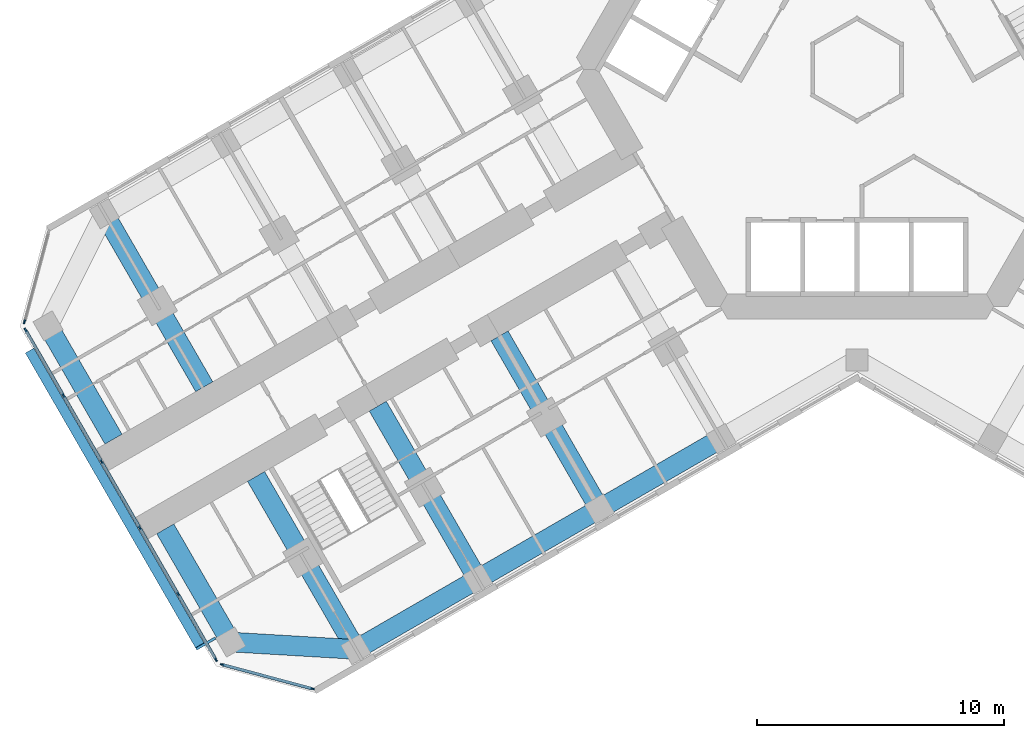
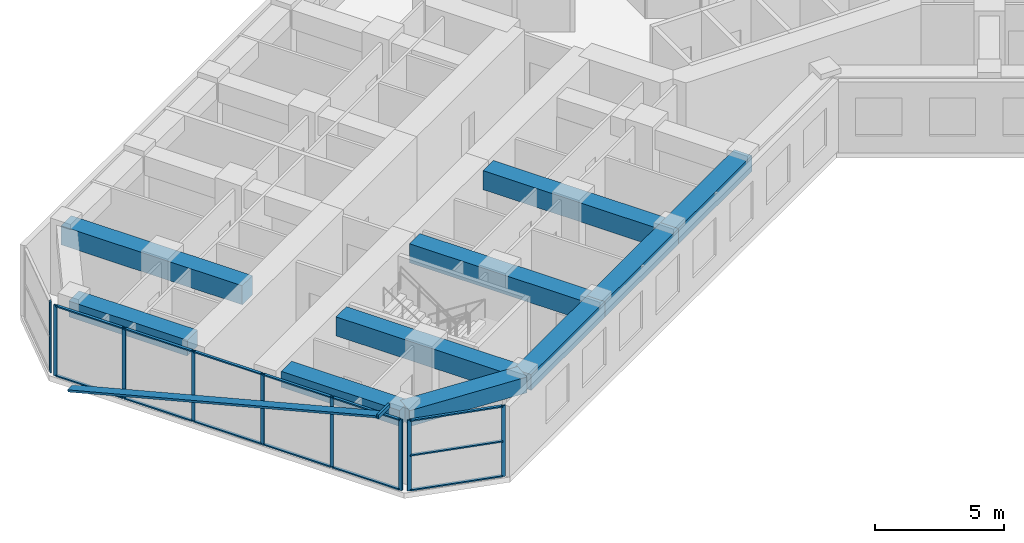
# One storey, part 2 of 22: 24 members, 10 beams, 3 elements without a shape of their own.
"""IFC4 building model written with IfcOpenShell, lengths in metres."""

from ifc_helpers import new_model, si_unit, direction, frame, origin, origin_2d, place, context, subcontext, project, spatial, rectangle, hollow_rectangle, extrude, material, material_profile, profile_set, type_object, element, aggregate, save


model = new_model("IFC4")

# Units and contexts
model_context = context("Model", 3, precision=1e-05, world=origin(), true_north=direction((0.0, 1.0)))
body_context = subcontext(model_context, "Body", "Model", "MODEL_VIEW")
ifc_project = project(units=[si_unit("LENGTHUNIT", "METRE"), si_unit("AREAUNIT", "SQUARE_METRE"), si_unit("VOLUMEUNIT", "CUBIC_METRE"), si_unit("PLANEANGLEUNIT", "RADIAN"), si_unit("MASSUNIT", "GRAM", prefix="KILO")], contexts=[model_context])

# Site, building, storey
site_placement = place(None, origin())
site = spatial("IfcSite", under=ifc_project, at=site_placement, CompositionType="ELEMENT")
building_placement = place(site_placement, origin())
building = spatial("IfcBuilding", under=site, at=building_placement, Name="Kosmar Iwan School Tower", CompositionType="ELEMENT")
storey_placement = place(building_placement, frame((0.0, 0.0, 91.60009765625)))
storey = spatial("IfcBuildingStorey", under=building, at=storey_placement, Name="L22", CompositionType="ELEMENT", Elevation=91.60009765625)

# Members
ifc_material_1 = material(Name="Black anodised aluminium", Category="aluminium")
ifc_material_profile_1 = material_profile(ifc_material_1, rectangle(XDim=0.10009765625, YDim=0.39990234375, at=origin_2d()), Name="FIN 100x400")
ifc_profile_set_1 = profile_set([ifc_material_profile_1], Name="Black anodised aluminium")
member_type_1 = type_object("IfcMemberType", Name="Diagonal fin 100x400", PredefinedType="USERDEFINED", material=ifc_profile_set_1)
member_1_placement = place(storey_placement, frame((-33.54345703125, -11.40087890625, -0.150146484375), z_axis=(0.483793446988, -0.837970316603, 0.25248692866), x_axis=(-0.126241714543, 0.218661104574, 0.96760030532)))
element("IfcMember", 1, at=member_1_placement, inside=storey, type_object=member_type_1, Name="Diagonal fin L22-F13", ObjectType="FIN", PredefinedType="USERDEFINED", context=body_context, shape_type="SweptSolid", body=[
    extrude(rectangle(XDim=0.10009765625, YDim=0.39990234375, at=origin_2d()), origin(), (0.0, 0.0, 1.0), 14.258544921875),
])
ifc_material_2 = material(Name="Steel S355", Category="steel")
ifc_material_profile_2 = material_profile(ifc_material_2, hollow_rectangle(XDim=0.10009765625, YDim=0.199951171875, WallThickness=0.008056640625, at=origin_2d()), Name="RHS 200x100x8")
ifc_profile_set_2 = profile_set([ifc_material_profile_2], Name="Steel S355")
member_type_2 = type_object("IfcMemberType", Name="Fin bracket RHS 200x100", PredefinedType="USERDEFINED", material=ifc_profile_set_2)
member_2_placement = place(storey_placement, frame((-26.01318359375, -23.0439453125, 3.474853515625), z_axis=(-0.866013897511, -0.50001992892, 0.0), x_axis=(0.50001992892, -0.866013897511, 0.0)))
element("IfcMember", 2, at=member_2_placement, inside=storey, type_object=member_type_2, Name="Fin bracket L23", ObjectType="FIN BRACKET", PredefinedType="USERDEFINED", context=body_context, shape_type="SweptSolid", body=[
    extrude(hollow_rectangle(XDim=0.10009765625, YDim=0.199951171875, WallThickness=0.008056640625, at=origin_2d()), origin(), (0.0, 0.0, 1.0), 0.89990234375),
])

# Curtain wall, member
ifc_material_3 = material(Name="Dark glass in black aluminium frame", Category="aluminium")
curtain_wall_type_1 = type_object("IfcCurtainWallType", Name="Chamfer curtain wall dark glass", PredefinedType="USERDEFINED", material=ifc_material_3)
curtain_wall_1_placement = place(storey_placement, origin())
curtain_wall_1 = element("IfcCurtainWall", 3, at=curtain_wall_1_placement, inside=storey, type_object=curtain_wall_type_1, Name="Curtain wall L22-F12", ObjectType="FACETED CURTAIN WALL", PredefinedType="USERDEFINED")
ifc_material_4 = material(Name="Black anodised aluminium", Category="aluminium")
ifc_material_profile_3 = material_profile(ifc_material_4, rectangle(XDim=0.06005859375, YDim=0.159912109375, at=origin_2d()), Name="MULLION 60x160")
ifc_profile_set_3 = profile_set([ifc_material_profile_3], Name="Black anodised aluminium")
member_type_3 = type_object("IfcMemberType", Name="Mullion 60x160", PredefinedType="MULLION", material=ifc_profile_set_3)
member_3_placement = place(storey_placement, frame((-33.7587890625, -10.2236328125, 0.0), z_axis=(0.0, 0.0, 1.0), x_axis=(0.965925875495, -0.258818861462, 0.0)))
member_3 = element("IfcMember", 4, at=member_3_placement, type_object=member_type_3, Name="CW2 mullion 2", PredefinedType="MULLION", context=body_context, shape_type="SweptSolid", body=[
    extrude(rectangle(XDim=0.06005859375, YDim=0.159912109375, at=origin_2d()), origin(), (0.0, 0.0, 1.0), 3.349853515625),
])
aggregate(curtain_wall_1, [member_3])

# Curtain wall, members
ifc_material_5 = material(Name="Dark glass in black aluminium frame", Category="aluminium")
curtain_wall_type_2 = type_object("IfcCurtainWallType", Name="Tower curtain wall dark glass", PredefinedType="USERDEFINED", material=ifc_material_5)
curtain_wall_2_placement = place(storey_placement, origin())
curtain_wall_2 = element("IfcCurtainWall", 5, at=curtain_wall_2_placement, inside=storey, type_object=curtain_wall_type_2, Name="Curtain wall L22-F13", ObjectType="UNITISED CURTAIN WALL", PredefinedType="USERDEFINED")
member_4_placement = place(storey_placement, frame((-33.71533203125, -10.55322265625, 0.0), z_axis=(0.0, 0.0, 1.0), x_axis=(0.866025405329, 0.499999997325, 0.0)))
member_4 = element("IfcMember", 6, at=member_4_placement, type_object=member_type_3, Name="CW1 mullion 1", PredefinedType="MULLION", context=body_context, shape_type="SweptSolid", body=[
    extrude(rectangle(XDim=0.06005859375, YDim=0.159912109375, at=origin_2d()), origin(), (0.0, 0.0, 1.0), 3.349853515625),
])
member_5_placement = place(storey_placement, frame((-32.1806640625, -13.21142578125, 0.0), z_axis=(0.0, 0.0, 1.0), x_axis=(0.866025405329, 0.499999997325, 0.0)))
member_5 = element("IfcMember", 7, at=member_5_placement, type_object=member_type_3, Name="CW1 mullion 2", PredefinedType="MULLION", context=body_context, shape_type="SweptSolid", body=[
    extrude(rectangle(XDim=0.06005859375, YDim=0.159912109375, at=origin_2d()), origin(), (0.0, 0.0, 1.0), 3.349853515625),
])
member_6_placement = place(storey_placement, frame((-30.631103515625, -15.8955078125, 0.0), z_axis=(0.0, 0.0, 1.0), x_axis=(0.866025405329, 0.499999997325, 0.0)))
member_6 = element("IfcMember", 8, at=member_6_placement, type_object=member_type_3, Name="CW1 mullion 3", PredefinedType="MULLION", context=body_context, shape_type="SweptSolid", body=[
    extrude(rectangle(XDim=0.06005859375, YDim=0.159912109375, at=origin_2d()), origin(), (0.0, 0.0, 1.0), 3.349853515625),
])
member_7_placement = place(storey_placement, frame((-29.081298828125, -18.57958984375, 0.0), z_axis=(0.0, 0.0, 1.0), x_axis=(0.866025405329, 0.499999997325, 0.0)))
member_7 = element("IfcMember", 9, at=member_7_placement, type_object=member_type_3, Name="CW1 mullion 4", PredefinedType="MULLION", context=body_context, shape_type="SweptSolid", body=[
    extrude(rectangle(XDim=0.06005859375, YDim=0.159912109375, at=origin_2d()), origin(), (0.0, 0.0, 1.0), 3.349853515625),
])
member_8_placement = place(storey_placement, frame((-27.53173828125, -21.263671875, 0.0), z_axis=(0.0, 0.0, 1.0), x_axis=(0.866025405329, 0.499999997325, 0.0)))
member_8 = element("IfcMember", 10, at=member_8_placement, type_object=member_type_3, Name="CW1 mullion 5", PredefinedType="MULLION", context=body_context, shape_type="SweptSolid", body=[
    extrude(rectangle(XDim=0.06005859375, YDim=0.159912109375, at=origin_2d()), origin(), (0.0, 0.0, 1.0), 3.349853515625),
])
member_9_placement = place(storey_placement, frame((-25.9970703125, -23.921630859375, 0.0), z_axis=(0.0, 0.0, 1.0), x_axis=(0.866025405329, 0.499999997325, 0.0)))
member_9 = element("IfcMember", 11, at=member_9_placement, type_object=member_type_3, Name="CW1 mullion 6", PredefinedType="MULLION", context=body_context, shape_type="SweptSolid", body=[
    extrude(rectangle(XDim=0.06005859375, YDim=0.159912109375, at=origin_2d()), origin(), (0.0, 0.0, 1.0), 3.349853515625),
])

curtain_wall_3_placement = place(storey_placement, origin())
curtain_wall_3 = element("IfcCurtainWall", 12, at=curtain_wall_3_placement, inside=storey, type_object=curtain_wall_type_1, Name="Curtain wall L22-F14", ObjectType="FACETED CURTAIN WALL", PredefinedType="USERDEFINED")
member_10_placement = place(storey_placement, frame((-25.733154296875, -24.124267578125, 0.0), z_axis=(0.0, 0.0, 1.0), x_axis=(0.258818861462, 0.965925875495, 0.0)))
member_10 = element("IfcMember", 13, at=member_10_placement, type_object=member_type_3, Name="CW2 mullion 1", PredefinedType="MULLION", context=body_context, shape_type="SweptSolid", body=[
    extrude(rectangle(XDim=0.06005859375, YDim=0.159912109375, at=origin_2d()), origin(), (0.0, 0.0, 1.0), 3.349853515625),
])
member_11_placement = place(storey_placement, frame((-22.0830078125, -25.102294921875, 0.0), z_axis=(0.0, 0.0, 1.0), x_axis=(0.258818861462, 0.965925875495, 0.0)))
member_11 = element("IfcMember", 14, at=member_11_placement, type_object=member_type_3, Name="CW2 mullion 2", PredefinedType="MULLION", context=body_context, shape_type="SweptSolid", body=[
    extrude(rectangle(XDim=0.06005859375, YDim=0.159912109375, at=origin_2d()), origin(), (0.0, 0.0, 1.0), 3.349853515625),
])

# Beams
ifc_material_6 = material(Name="Concrete C50/60", Category="concrete")
ifc_material_profile_4 = material_profile(ifc_material_6, rectangle(XDim=0.800048828125, YDim=0.75, at=origin_2d()), Name="RC 800x750")
ifc_profile_set_4 = profile_set([ifc_material_profile_4], Name="Concrete C50/60")
beam_type_1 = type_object("IfcBeamType", Name="RC edge beam 800x750", PredefinedType="BEAM", material=ifc_profile_set_4)
beam_1_placement = place(storey_placement, frame((-5.5087890625, -14.95849609375, 2.974853515625), z_axis=(-0.866033658841, -0.49998570155, 0.0), x_axis=(0.49998570155, -0.866033658841, 0.0)))
element("IfcBeam", 15, at=beam_1_placement, inside=storey, type_object=beam_type_1, Name="Edge beam BL2", PredefinedType="BEAM", context=body_context, shape_type="SweptSolid", body=[
    extrude(rectangle(XDim=0.800048828125, YDim=0.75, at=origin_2d()), origin(), (0.0, 0.0, 1.0), 5.699951171875),
])
beam_2_placement = place(storey_placement, frame((-10.445068359375, -17.808349609375, 2.974853515625), z_axis=(-0.866025820012, -0.499999279071, 0.0), x_axis=(0.499999279071, -0.866025820012, 0.0)))
element("IfcBeam", 16, at=beam_2_placement, inside=storey, type_object=beam_type_1, Name="Edge beam BL3", PredefinedType="BEAM", context=body_context, shape_type="SweptSolid", body=[
    extrude(rectangle(XDim=0.800048828125, YDim=0.75, at=origin_2d()), origin(), (0.0, 0.0, 1.0), 5.7001953125),
])
beam_3_placement = place(storey_placement, frame((-15.381591796875, -20.658447265625, 2.974853515625), z_axis=(-0.866015111908, -0.50001782563, 0.0), x_axis=(0.50001782563, -0.866015111908, 0.0)))
element("IfcBeam", 17, at=beam_3_placement, inside=storey, type_object=beam_type_1, Name="Edge beam BL4", PredefinedType="BEAM", context=body_context, shape_type="SweptSolid", body=[
    extrude(rectangle(XDim=0.800048828125, YDim=0.75, at=origin_2d()), origin(), (0.0, 0.0, 1.0), 5.699951171875),
])
ifc_material_7 = material(Name="Concrete C50/60", Category="concrete")
ifc_material_profile_5 = material_profile(ifc_material_7, rectangle(XDim=0.800048828125, YDim=0.75, at=origin_2d()), Name="RC 800x750")
ifc_profile_set_5 = profile_set([ifc_material_profile_5], Name="Concrete C50/60")
beam_type_2 = type_object("IfcBeamType", Name="RC tip beam 800x750", PredefinedType="BEAM", material=ifc_profile_set_5)
beam_4_placement = place(storey_placement, frame((-20.31787109375, -23.508544921875, 2.974853515625), z_axis=(-0.998260616478, 0.058955420358, 0.0), x_axis=(-0.058955420358, -0.998260616478, 0.0)))
element("IfcBeam", 18, at=beam_4_placement, inside=storey, type_object=beam_type_2, Name="Tip beam BL", PredefinedType="BEAM", context=body_context, shape_type="SweptSolid", body=[
    extrude(rectangle(XDim=0.800048828125, YDim=0.75, at=origin_2d()), origin(), (0.0, 0.0, 1.0), 5.08935546875),
])
beam_5_placement = place(storey_placement, frame((-25.3984375, -23.20849609375, 2.974853515625), z_axis=(-0.499993606316, 0.866029095148, 0.0), x_axis=(-0.866029095148, -0.499993606316, 0.0)))
element("IfcBeam", 19, at=beam_5_placement, inside=storey, type_object=beam_type_2, Name="Tip beam BL to corridor wall", PredefinedType="BEAM", context=body_context, shape_type="SweptSolid", body=[
    extrude(rectangle(XDim=0.800048828125, YDim=0.75, at=origin_2d()), origin(), (0.0, 0.0, 1.0), 5.2998046875),
])
beam_6_placement = place(storey_placement, frame((-32.79833984375, -10.391357421875, 2.974853515625), z_axis=(0.499973660256, -0.866040610509, 0.0), x_axis=(0.866040610509, 0.499973660256, 0.0)))
element("IfcBeam", 20, at=beam_6_placement, inside=storey, type_object=beam_type_2, Name="Tip beam BR to corridor wall", PredefinedType="BEAM", context=body_context, shape_type="SweptSolid", body=[
    extrude(rectangle(XDim=0.800048828125, YDim=0.75, at=origin_2d()), origin(), (0.0, 0.0, 1.0), 5.300048828125),
])
ifc_material_8 = material(Name="Concrete C50/60", Category="concrete")
ifc_material_profile_6 = material_profile(ifc_material_8, rectangle(XDim=0.800048828125, YDim=0.89990234375, at=origin_2d()), Name="RC 800x900")
ifc_profile_set_6 = profile_set([ifc_material_profile_6], Name="Concrete C50/60")
beam_type_3 = type_object("IfcBeamType", Name="RC transverse beam 800x900", PredefinedType="BEAM", material=ifc_profile_set_6)
beam_7_placement = place(storey_placement, frame((-10.445068359375, -17.808349609375, 2.89990234375), z_axis=(-0.500012932018, 0.866017937352, 0.0), x_axis=(-0.866017937352, -0.500012932018, 0.0)))
element("IfcBeam", 21, at=beam_7_placement, inside=storey, type_object=beam_type_3, Name="Transverse beam BL2", PredefinedType="BEAM", context=body_context, shape_type="SweptSolid", body=[
    extrude(rectangle(XDim=0.800048828125, YDim=0.89990234375, at=origin_2d()), origin(), (0.0, 0.0, 1.0), 8.099853515625),
])
for number, where, z_axis, x_axis, name in (
    (22, (-15.381591796875, -20.658447265625, 2.89990234375), (-0.499977274689, 0.866038523851, 0.0), (-0.866038523851, -0.499977274689, 0.0), "Transverse beam BL3"),
    (23, (-20.31787109375, -23.508544921875, 2.89990234375), (-0.499999880539, 0.866025472755, 0.0), (-0.866025472755, -0.499999880539, 0.0), "Transverse beam BL4"),
    (24, (-30.517822265625, -5.841552734375, 2.89990234375), (0.499999880539, -0.866025472755, 0.0), (0.866025472755, 0.499999880539, 0.0), "Transverse beam BR4"),
):
    element("IfcBeam", number, at=place(storey_placement, frame(where, z_axis=z_axis, x_axis=x_axis)), inside=storey, type_object=beam_type_3, Name=name, PredefinedType="BEAM", context=body_context, shape_type="SweptSolid", body=[
        extrude(rectangle(XDim=0.800048828125, YDim=0.89990234375, at=origin_2d()), origin(), (0.0, 0.0, 1.0), 8.10009765625),
    ])

# Member
ifc_material_9 = material(Name="Black anodised aluminium", Category="aluminium")
ifc_material_profile_7 = material_profile(ifc_material_9, rectangle(XDim=0.1201171875, YDim=0.06005859375, at=origin_2d()), Name="TRANSOM 60x120")
ifc_profile_set_7 = profile_set([ifc_material_profile_7], Name="Black anodised aluminium")
member_type_4 = type_object("IfcMemberType", Name="Transom 60x120", PredefinedType="USERDEFINED", material=ifc_profile_set_7)
member_12_placement = place(storey_placement, frame((-33.700439453125, -10.579345703125, 0.02978515625), z_axis=(0.500022102064, -0.866012642776, 0.0), x_axis=(0.866012642776, 0.500022102064, 0.0)))
member_12 = element("IfcMember", 25, at=member_12_placement, type_object=member_type_4, Name="CW1 transom 1.1", ObjectType="TRANSOM", PredefinedType="USERDEFINED", context=body_context, shape_type="SweptSolid", body=[
    extrude(rectangle(XDim=0.1201171875, YDim=0.06005859375, at=origin_2d()), origin(), (0.0, 0.0, 1.0), 3.009033203125),
])

member_13_placement = place(storey_placement, frame((-33.700439453125, -10.579345703125, 3.31982421875), z_axis=(0.500022102064, -0.866012642776, 0.0), x_axis=(0.866012642776, 0.500022102064, 0.0)))
member_13 = element("IfcMember", 26, at=member_13_placement, type_object=member_type_4, Name="CW1 transom 1.2", ObjectType="TRANSOM", PredefinedType="USERDEFINED", context=body_context, shape_type="SweptSolid", body=[
    extrude(rectangle(XDim=0.1201171875, YDim=0.06005859375, at=origin_2d()), origin(), (0.0, 0.0, 1.0), 3.009033203125),
])

member_14_placement = place(storey_placement, frame((-32.165771484375, -13.2373046875, 0.02978515625), z_axis=(0.500035348339, -0.866004994449, 0.0), x_axis=(0.866004994449, 0.500035348339, 0.0)))
member_14 = element("IfcMember", 27, at=member_14_placement, type_object=member_type_4, Name="CW1 transom 2.1", ObjectType="TRANSOM", PredefinedType="USERDEFINED", context=body_context, shape_type="SweptSolid", body=[
    extrude(rectangle(XDim=0.1201171875, YDim=0.06005859375, at=origin_2d()), origin(), (0.0, 0.0, 1.0), 3.039306640625),
])

member_15_placement = place(storey_placement, frame((-32.165771484375, -13.2373046875, 3.31982421875), z_axis=(0.500035348339, -0.866004994449, 0.0), x_axis=(0.866004994449, 0.500035348339, 0.0)))
member_15 = element("IfcMember", 28, at=member_15_placement, type_object=member_type_4, Name="CW1 transom 2.2", ObjectType="TRANSOM", PredefinedType="USERDEFINED", context=body_context, shape_type="SweptSolid", body=[
    extrude(rectangle(XDim=0.1201171875, YDim=0.06005859375, at=origin_2d()), origin(), (0.0, 0.0, 1.0), 3.039306640625),
])

member_16_placement = place(storey_placement, frame((-30.615966796875, -15.92138671875, 0.02978515625), z_axis=(0.499975102327, -0.866039777986, 0.0), x_axis=(0.866039777986, 0.499975102327, 0.0)))
member_16 = element("IfcMember", 29, at=member_16_placement, type_object=member_type_4, Name="CW1 transom 3.1", ObjectType="TRANSOM", PredefinedType="USERDEFINED", context=body_context, shape_type="SweptSolid", body=[
    extrude(rectangle(XDim=0.1201171875, YDim=0.06005859375, at=origin_2d()), origin(), (0.0, 0.0, 1.0), 3.039306640625),
])

member_17_placement = place(storey_placement, frame((-30.615966796875, -15.92138671875, 3.31982421875), z_axis=(0.499975102327, -0.866039777986, 0.0), x_axis=(0.866039777986, 0.499975102327, 0.0)))
member_17 = element("IfcMember", 30, at=member_17_placement, type_object=member_type_4, Name="CW1 transom 3.2", ObjectType="TRANSOM", PredefinedType="USERDEFINED", context=body_context, shape_type="SweptSolid", body=[
    extrude(rectangle(XDim=0.1201171875, YDim=0.06005859375, at=origin_2d()), origin(), (0.0, 0.0, 1.0), 3.039306640625),
])

member_18_placement = place(storey_placement, frame((-29.06640625, -18.60546875, 0.02978515625), z_axis=(0.499975102327, -0.866039777986, 0.0), x_axis=(0.866039777986, 0.499975102327, 0.0)))
member_18 = element("IfcMember", 31, at=member_18_placement, type_object=member_type_4, Name="CW1 transom 4.1", ObjectType="TRANSOM", PredefinedType="USERDEFINED", context=body_context, shape_type="SweptSolid", body=[
    extrude(rectangle(XDim=0.1201171875, YDim=0.06005859375, at=origin_2d()), origin(), (0.0, 0.0, 1.0), 3.039306640625),
])

member_19_placement = place(storey_placement, frame((-29.06640625, -18.60546875, 3.31982421875), z_axis=(0.499975102327, -0.866039777986, 0.0), x_axis=(0.866039777986, 0.499975102327, 0.0)))
member_19 = element("IfcMember", 32, at=member_19_placement, type_object=member_type_4, Name="CW1 transom 4.2", ObjectType="TRANSOM", PredefinedType="USERDEFINED", context=body_context, shape_type="SweptSolid", body=[
    extrude(rectangle(XDim=0.1201171875, YDim=0.06005859375, at=origin_2d()), origin(), (0.0, 0.0, 1.0), 3.039306640625),
])

member_20_placement = place(storey_placement, frame((-27.516845703125, -21.28955078125, 0.02978515625), z_axis=(0.499986971506, -0.866032925658, 0.0), x_axis=(0.866032925658, 0.499986971506, 0.0)))
member_20 = element("IfcMember", 33, at=member_20_placement, type_object=member_type_4, Name="CW1 transom 5.1", ObjectType="TRANSOM", PredefinedType="USERDEFINED", context=body_context, shape_type="SweptSolid", body=[
    extrude(rectangle(XDim=0.1201171875, YDim=0.06005859375, at=origin_2d()), origin(), (0.0, 0.0, 1.0), 3.00927734375),
])

member_21_placement = place(storey_placement, frame((-27.516845703125, -21.28955078125, 3.31982421875), z_axis=(0.499986971506, -0.866032925658, 0.0), x_axis=(0.866032925658, 0.499986971506, 0.0)))
member_21 = element("IfcMember", 34, at=member_21_placement, type_object=member_type_4, Name="CW1 transom 5.2", ObjectType="TRANSOM", PredefinedType="USERDEFINED", context=body_context, shape_type="SweptSolid", body=[
    extrude(rectangle(XDim=0.1201171875, YDim=0.06005859375, at=origin_2d()), origin(), (0.0, 0.0, 1.0), 3.00927734375),
])

aggregate(curtain_wall_2, [member_4, member_5, member_6, member_7, member_8, member_9, member_12, member_13, member_14, member_15, member_16, member_17, member_18, member_19, member_20, member_21])

member_22_placement = place(storey_placement, frame((-25.704345703125, -24.1318359375, 0.02978515625), z_axis=(0.965923731726, -0.258826861991, 0.0), x_axis=(0.258826861991, 0.965923731726, 0.0)))
member_22 = element("IfcMember", 35, at=member_22_placement, type_object=member_type_4, Name="CW2 transom 1.1", ObjectType="TRANSOM", PredefinedType="USERDEFINED", context=body_context, shape_type="SweptSolid", body=[
    extrude(rectangle(XDim=0.1201171875, YDim=0.06005859375, at=origin_2d()), origin(), (0.0, 0.0, 1.0), 3.71923828125),
])

member_23_placement = place(storey_placement, frame((-25.704345703125, -24.1318359375, 1.6748046875), z_axis=(0.965923731726, -0.258826861991, 0.0), x_axis=(0.258826861991, 0.965923731726, 0.0)))
member_23 = element("IfcMember", 36, at=member_23_placement, type_object=member_type_4, Name="CW2 transom 1.2", ObjectType="TRANSOM", PredefinedType="USERDEFINED", context=body_context, shape_type="SweptSolid", body=[
    extrude(rectangle(XDim=0.1201171875, YDim=0.06005859375, at=origin_2d()), origin(), (0.0, 0.0, 1.0), 3.71923828125),
])

member_24_placement = place(storey_placement, frame((-25.704345703125, -24.1318359375, 3.31982421875), z_axis=(0.965923731726, -0.258826861991, 0.0), x_axis=(0.258826861991, 0.965923731726, 0.0)))
member_24 = element("IfcMember", 37, at=member_24_placement, type_object=member_type_4, Name="CW2 transom 1.3", ObjectType="TRANSOM", PredefinedType="USERDEFINED", context=body_context, shape_type="SweptSolid", body=[
    extrude(rectangle(XDim=0.1201171875, YDim=0.06005859375, at=origin_2d()), origin(), (0.0, 0.0, 1.0), 3.71923828125),
])

aggregate(curtain_wall_3, [member_10, member_11, member_22, member_23, member_24])

save(model, "model.ifc")
